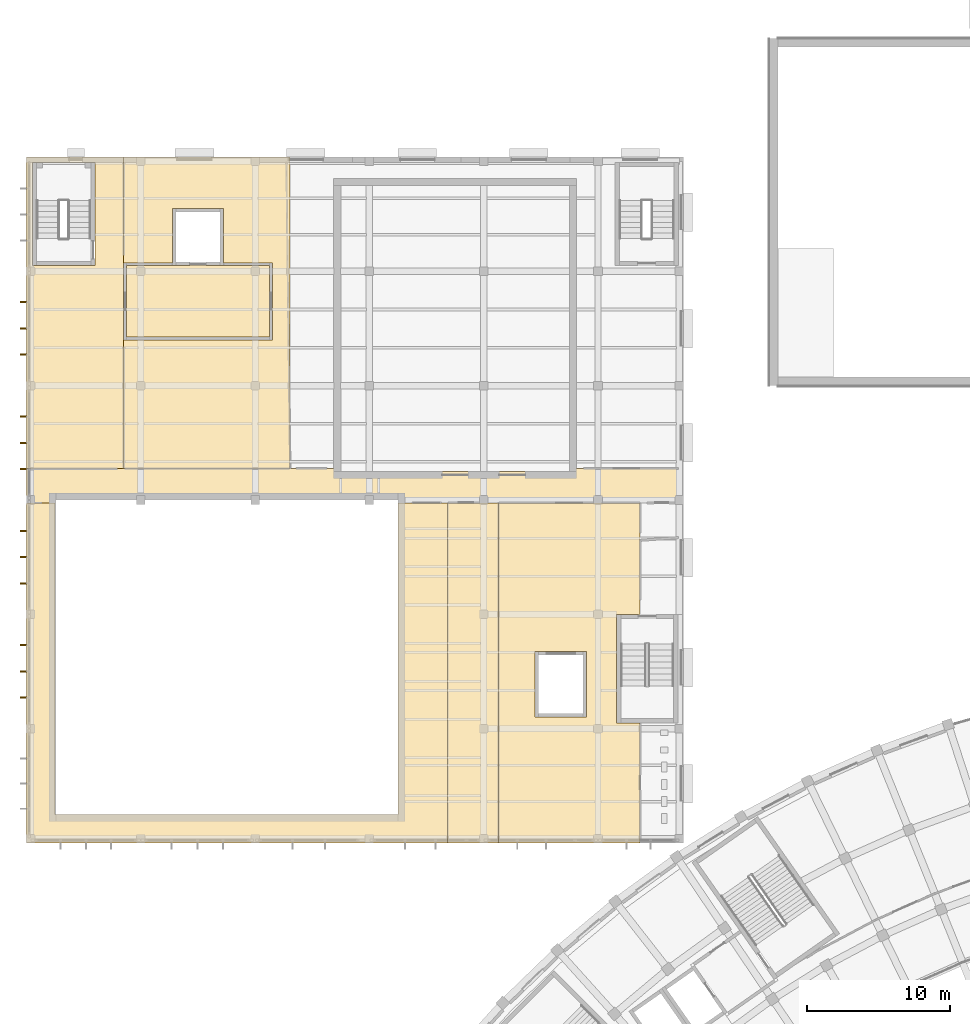
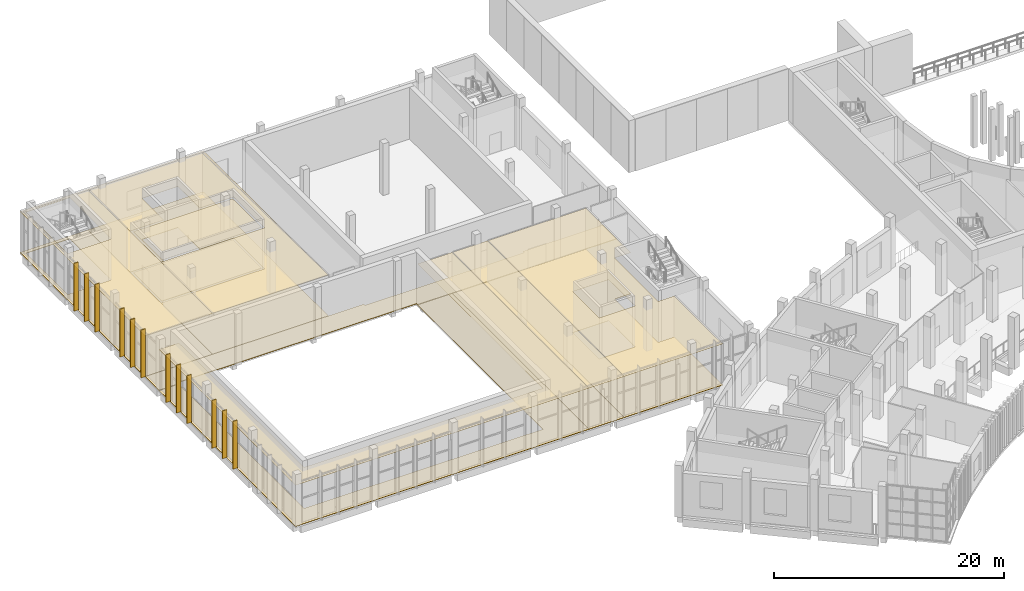
# One storey, part 89 of 112: 13 coverings, 12 shading devices.
"""IFC4 building model written with IfcOpenShell, lengths in metres."""

from ifc_helpers import new_model, si_unit, direction, frame, origin, origin_2d, place, context, subcontext, project, spatial, polyline, rectangle, outline, extrude, material, layer, layer_set, type_object, element, save


model = new_model("IFC4")

# Units and contexts
model_context = context("Model", 3, precision=1e-05, world=origin(), true_north=direction((0.0, 1.0)))
body_context = subcontext(model_context, "Body", "Model", "MODEL_VIEW")
ifc_project = project(units=[si_unit("LENGTHUNIT", "METRE"), si_unit("AREAUNIT", "SQUARE_METRE"), si_unit("VOLUMEUNIT", "CUBIC_METRE"), si_unit("PLANEANGLEUNIT", "RADIAN"), si_unit("MASSUNIT", "GRAM", prefix="KILO")], contexts=[model_context])

# Site, building, storey
site_placement = place(None, origin())
site = spatial("IfcSite", under=ifc_project, at=site_placement, CompositionType="ELEMENT")
building_placement = place(site_placement, origin())
building = spatial("IfcBuilding", under=site, at=building_placement, Name="Lunette Opera House", CompositionType="ELEMENT")
storey_placement = place(building_placement, frame((0.0, 0.0, 6.0)))
storey = spatial("IfcBuildingStorey", under=building, at=storey_placement, Name="L01", CompositionType="ELEMENT", Elevation=6.0)

# Covering
ifc_material_1 = material(Name="Cement screed")
ifc_layer_1 = layer(ifc_material_1, 0.070068359375)
ifc_layer_set_1 = layer_set([ifc_layer_1], Name="Cement screed")
covering_type_1 = type_object("IfcCoveringType", Name="SCREED FLOOR FINISH 70", PredefinedType="FLOORING", material=ifc_layer_set_1)
covering_1_placement = place(storey_placement, origin())
element("IfcCovering", 1, at=covering_1_placement, inside=storey, type_object=covering_type_1, Name="Floor finish Corridor L01 Rehearsal", PredefinedType="FLOORING", context=body_context, shape_type="SweptSolid", body=[
    extrude(outline(polyline([(30.0, 90.0), (46.0, 90.0), (46.0, 90.199951171875), (54.0, 90.199951171875), (54.0, 87.800048828125), (34.0, 87.800048828125), (34.0, 88.0), (10.0, 88.0), (10.0, 87.800048828125), (8.0, 87.800048828125), (8.0, 90.199951171875), (30.0, 90.199951171875), (30.0, 90.0)])), origin(), (0.0, 0.0, 1.0), 0.070068359375),
])

# Shading devices
ifc_material_2 = material(Name="Powder-coated aluminium", Category="aluminium")
shading_device_type = type_object("IfcShadingDeviceType", Name="SOLAR FIN 100 X 450", PredefinedType="USERDEFINED", material=ifc_material_2)
for number, where, z_axis, x_axis, name in (
    (2, (7.76708984375, 101.85498046875, 0.114501953125), (0.0, 0.0, 1.0), (-1.0, 0.0, 0.0), "Solar fin RW-X2016 1"),
    (3, (7.76708984375, 100.012939453125, 0.114501953125), (0.0, 0.0, 1.0), (-1.0, 0.0, 0.0), "Solar fin RW-X2016 2"),
    (4, (7.76708984375, 98.1708984375, 0.114501953125), (0.0, 0.0, 1.0), (-1.0, 0.0, 0.0), "Solar fin RW-X2016 3"),
    (5, (7.76708984375, 93.8349609375, 0.114501953125), (0.0, 0.0, 1.0), (-1.0, 0.0, 0.0), "Solar fin RW-X2017 1"),
    (6, (7.76708984375, 92.0, 0.114501953125), (0.0, 0.0, 1.0), (-1.0, 0.0, 0.0), "Solar fin RW-X2017 2"),
    (7, (7.76708984375, 90.1650390625, 0.114501953125), (0.0, 0.0, 1.0), (-1.0, 0.0, 0.0), "Solar fin RW-X2017 3"),
    (8, (7.76708984375, 85.8349609375, 0.114501953125), (0.0, 0.0, 1.0), (-1.0, 0.0, 0.0), "Solar fin RW-X2018 1"),
    (9, (7.76708984375, 84.0, 0.114501953125), (0.0, 0.0, 1.0), (-1.0, 0.0, 0.0), "Solar fin RW-X2018 2"),
    (10, (7.76708984375, 82.1650390625, 0.114501953125), (0.0, 0.0, 1.0), (-1.0, 0.0, 0.0), "Solar fin RW-X2018 3"),
    (11, (7.76708984375, 77.8349609375, 0.114501953125), (0.0, 0.0, 1.0), (-1.0, 0.0, 0.0), "Solar fin RW-X2019 1"),
    (12, (7.76708984375, 76.0, 0.114501953125), (0.0, 0.0, 1.0), (-1.0, 0.0, 0.0), "Solar fin RW-X2019 2"),
    (13, (7.76708984375, 74.1650390625, 0.114501953125), (0.0, 0.0, 1.0), (-1.0, 0.0, 0.0), "Solar fin RW-X2019 3"),
):
    element("IfcShadingDevice", number, at=place(storey_placement, frame(where, z_axis=z_axis, x_axis=x_axis)), inside=storey, type_object=shading_device_type, Name=name, ObjectType="SOLAR FIN", PredefinedType="USERDEFINED", context=body_context, shape_type="SweptSolid", body=[
        extrude(rectangle(XDim=0.449951171875, YDim=0.10009765625, at=origin_2d()), origin(), (0.0, 0.0, 1.0), 5.0849609375),
    ])

# Coverings
ifc_material_3 = material(Name="Mineral fibre board")
ifc_layer_2 = layer(ifc_material_3, 0.014892578125)
ifc_layer_set_2 = layer_set([ifc_layer_2], Name="Mineral fibre board")
covering_type_2 = type_object("IfcCoveringType", Name="SUSPENDED ACOUSTIC CEILING 15", PredefinedType="CEILING", material=ifc_layer_set_2)
covering_2_placement = place(storey_placement, frame((0.0, 0.0, 4.385009765625)))
element("IfcCovering", 14, at=covering_2_placement, inside=storey, type_object=covering_type_2, Name="Ceiling Lift Lobby L01 Rehearsal", PredefinedType="CEILING", context=body_context, shape_type="SweptSolid", body=[
    extrude(outline(polyline([(25.0, 99.39990234375), (25.0, 104.39990234375), (15.0, 104.39990234375), (15.0, 99.39990234375), (25.0, 99.39990234375)])), origin(), (0.0, 0.0, 1.0), 0.014892578125),
])
covering_3_placement = place(storey_placement, frame((0.0, 0.0, 4.385009765625)))
element("IfcCovering", 15, at=covering_3_placement, inside=storey, type_object=covering_type_2, Name="Ceiling Orchestra Staff Room", PredefinedType="CEILING", context=body_context, shape_type="SweptSolid", body=[
    extrude(outline(polyline([(8.0, 90.199951171875), (8.0, 112.0), (14.7939453125, 112.0), (14.7939453125, 90.199951171875), (8.0, 90.199951171875)]), holes=[polyline([(8.39990234375, 104.39990234375), (12.800048828125, 104.39990234375), (12.800048828125, 111.635009765625), (8.39990234375, 111.635009765625), (8.39990234375, 104.39990234375)])]), origin(), (0.0, 0.0, 1.0), 0.014892578125),
])
covering_4_placement = place(storey_placement, frame((0.0, 0.0, 4.385009765625)))
element("IfcCovering", 16, at=covering_4_placement, inside=storey, type_object=covering_type_2, Name="Ceiling Ballet Studio 3", PredefinedType="CEILING", context=body_context, shape_type="SweptSolid", body=[
    extrude(outline(polyline([(14.7939453125, 90.199951171875), (14.7939453125, 112.0), (26.44189453125, 112.0), (26.44189453125, 90.199951171875), (14.7939453125, 90.199951171875)]), holes=[polyline([(25.199951171875, 99.199951171875), (25.199951171875, 104.60009765625), (21.800048828125, 104.60009765625), (21.800048828125, 108.39990234375), (18.199951171875, 108.39990234375), (18.199951171875, 104.60009765625), (14.800048828125, 104.60009765625), (14.800048828125, 99.199951171875), (25.199951171875, 99.199951171875)])]), origin(), (0.0, 0.0, 1.0), 0.014892578125),
])
covering_5_placement = place(storey_placement, frame((0.0, 0.0, 4.385009765625)))
element("IfcCovering", 17, at=covering_5_placement, inside=storey, type_object=covering_type_2, Name="Ceiling Ballet Studio 2", PredefinedType="CEILING", context=body_context, shape_type="SweptSolid", body=[
    extrude(outline(polyline([(10.0, 87.800048828125), (10.0, 66.0), (34.0, 66.0), (34.0, 87.800048828125), (37.48388671875, 87.800048828125), (37.48388671875, 64.0), (8.0, 64.0), (8.0, 87.800048828125), (10.0, 87.800048828125)])), origin(), (0.0, 0.0, 1.0), 0.014892578125),
])
covering_6_placement = place(storey_placement, frame((0.0, 0.0, 4.385009765625)))
element("IfcCovering", 18, at=covering_6_placement, inside=storey, type_object=covering_type_2, Name="Ceiling Chorus Library", PredefinedType="CEILING", context=body_context, shape_type="SweptSolid", body=[
    extrude(outline(polyline([(37.48388671875, 64.0), (37.48388671875, 87.800048828125), (41.037109375, 87.800048828125), (41.037109375, 64.0), (37.48388671875, 64.0)])), origin(), (0.0, 0.0, 1.0), 0.014892578125),
])
covering_7_placement = place(storey_placement, frame((0.0, 0.0, 4.385009765625)))
element("IfcCovering", 19, at=covering_7_placement, inside=storey, type_object=covering_type_2, Name="Ceiling Artists' Dressing Rooms", PredefinedType="CEILING", context=body_context, shape_type="SweptSolid", body=[
    extrude(outline(polyline([(41.037109375, 64.0), (41.037109375, 87.800048828125), (50.94189453125, 87.800048828125), (50.94189453125, 80.0), (49.300048828125, 80.0), (49.300048828125, 72.39990234375), (50.94189453125, 72.39990234375), (50.94189453125, 64.0), (41.037109375, 64.0)]), holes=[polyline([(43.60009765625, 77.39990234375), (43.60009765625, 72.800048828125), (47.199951171875, 72.800048828125), (47.199951171875, 77.39990234375), (43.60009765625, 77.39990234375)])]), origin(), (0.0, 0.0, 1.0), 0.014892578125),
])
ifc_material_4 = material(Name="Terrazzo")
ifc_layer_3 = layer(ifc_material_4, 0.06005859375)
ifc_layer_set_3 = layer_set([ifc_layer_3], Name="Terrazzo")
covering_type_3 = type_object("IfcCoveringType", Name="TERRAZZO FLOOR FINISH 60", PredefinedType="FLOORING", material=ifc_layer_set_3)
covering_8_placement = place(storey_placement, origin())
element("IfcCovering", 20, at=covering_8_placement, inside=storey, type_object=covering_type_3, Name="Floor finish Lift Lobby L01 Rehearsal", PredefinedType="FLOORING", context=body_context, shape_type="SweptSolid", body=[
    extrude(outline(polyline([(25.0, 99.39990234375), (25.0, 104.39990234375), (15.0, 104.39990234375), (15.0, 99.39990234375), (25.0, 99.39990234375)])), origin(), (0.0, 0.0, 1.0), 0.06005859375),
])
ifc_material_5 = material(Name="Timber", Category="wood")
ifc_layer_4 = layer(ifc_material_5, 0.0400390625)
ifc_layer_set_4 = layer_set([ifc_layer_4], Name="Timber")
covering_type_4 = type_object("IfcCoveringType", Name="TIMBER FLOOR FINISH 40", PredefinedType="FLOORING", material=ifc_layer_set_4)
covering_9_placement = place(storey_placement, origin())
element("IfcCovering", 21, at=covering_9_placement, inside=storey, type_object=covering_type_4, Name="Floor finish Orchestra Staff Room", PredefinedType="FLOORING", context=body_context, shape_type="SweptSolid", body=[
    extrude(outline(polyline([(8.0, 90.199951171875), (8.0, 112.0), (14.7939453125, 112.0), (14.7939453125, 90.199951171875), (8.0, 90.199951171875)]), holes=[polyline([(8.39990234375, 104.39990234375), (12.800048828125, 104.39990234375), (12.800048828125, 111.635009765625), (8.39990234375, 111.635009765625), (8.39990234375, 104.39990234375)])]), origin(), (0.0, 0.0, 1.0), 0.0400390625),
])
covering_10_placement = place(storey_placement, origin())
element("IfcCovering", 22, at=covering_10_placement, inside=storey, type_object=covering_type_4, Name="Floor finish Ballet Studio 3", PredefinedType="FLOORING", context=body_context, shape_type="SweptSolid", body=[
    extrude(outline(polyline([(14.7939453125, 90.199951171875), (14.7939453125, 112.0), (26.44189453125, 112.0), (26.44189453125, 90.199951171875), (14.7939453125, 90.199951171875)]), holes=[polyline([(25.199951171875, 99.199951171875), (25.199951171875, 104.60009765625), (21.800048828125, 104.60009765625), (21.800048828125, 108.39990234375), (18.199951171875, 108.39990234375), (18.199951171875, 104.60009765625), (14.800048828125, 104.60009765625), (14.800048828125, 99.199951171875), (25.199951171875, 99.199951171875)])]), origin(), (0.0, 0.0, 1.0), 0.0400390625),
])
covering_11_placement = place(storey_placement, origin())
element("IfcCovering", 23, at=covering_11_placement, inside=storey, type_object=covering_type_4, Name="Floor finish Ballet Studio 2", PredefinedType="FLOORING", context=body_context, shape_type="SweptSolid", body=[
    extrude(outline(polyline([(10.0, 87.800048828125), (10.0, 66.0), (34.0, 66.0), (34.0, 87.800048828125), (37.48388671875, 87.800048828125), (37.48388671875, 64.0), (8.0, 64.0), (8.0, 87.800048828125), (10.0, 87.800048828125)])), origin(), (0.0, 0.0, 1.0), 0.0400390625),
])
covering_12_placement = place(storey_placement, origin())
element("IfcCovering", 24, at=covering_12_placement, inside=storey, type_object=covering_type_4, Name="Floor finish Chorus Library", PredefinedType="FLOORING", context=body_context, shape_type="SweptSolid", body=[
    extrude(outline(polyline([(37.48388671875, 64.0), (37.48388671875, 87.800048828125), (41.037109375, 87.800048828125), (41.037109375, 64.0), (37.48388671875, 64.0)])), origin(), (0.0, 0.0, 1.0), 0.0400390625),
])
covering_13_placement = place(storey_placement, origin())
element("IfcCovering", 25, at=covering_13_placement, inside=storey, type_object=covering_type_4, Name="Floor finish Artists' Dressing Rooms", PredefinedType="FLOORING", context=body_context, shape_type="SweptSolid", body=[
    extrude(outline(polyline([(41.037109375, 64.0), (41.037109375, 87.800048828125), (50.94189453125, 87.800048828125), (50.94189453125, 80.0), (49.300048828125, 80.0), (49.300048828125, 72.39990234375), (50.94189453125, 72.39990234375), (50.94189453125, 64.0), (41.037109375, 64.0)]), holes=[polyline([(43.60009765625, 77.39990234375), (43.60009765625, 72.800048828125), (47.199951171875, 72.800048828125), (47.199951171875, 77.39990234375), (43.60009765625, 77.39990234375)])]), origin(), (0.0, 0.0, 1.0), 0.0400390625),
])

save(model, "model.ifc")
